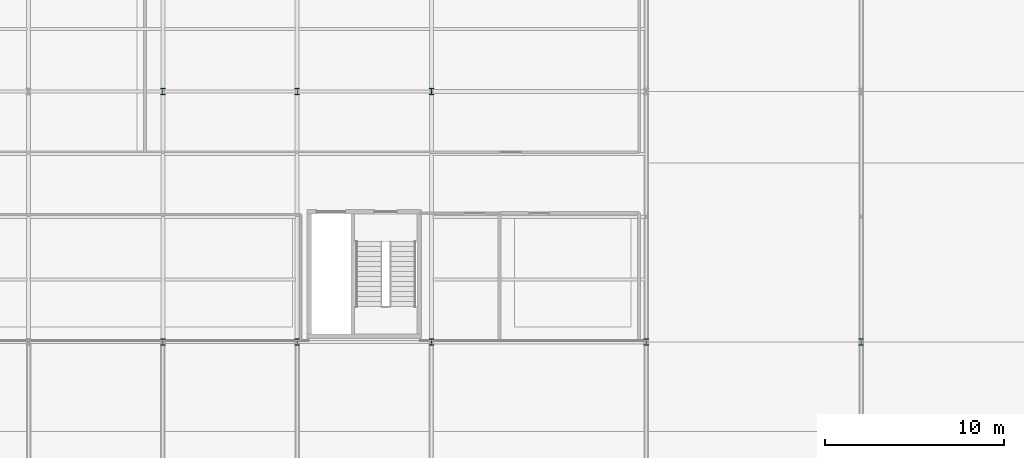
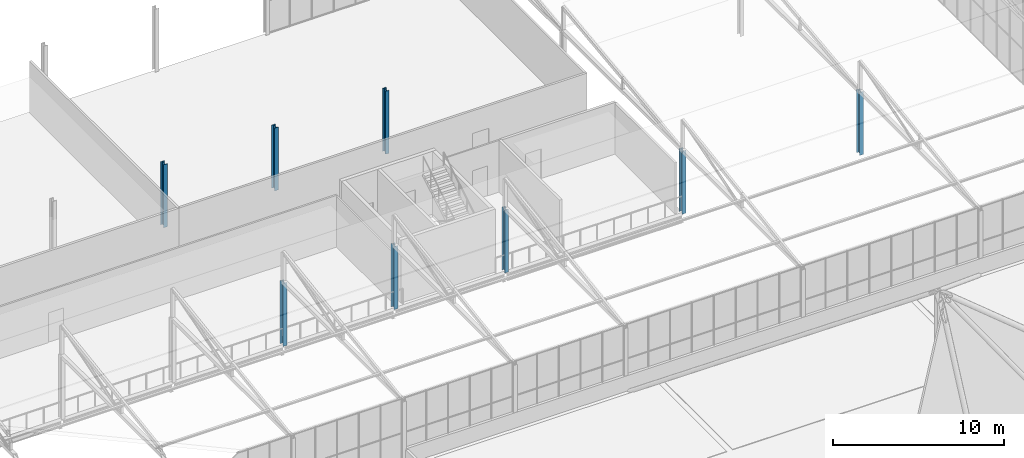
# One storey, part 6 of 104: 8 columns.
"""IFC4 building model written with IfcOpenShell, lengths in metres."""

from ifc_helpers import new_model, si_unit, direction, frame, origin, origin_2d, place, context, subcontext, project, spatial, i_section, extrude, material, material_profile, profile_set, type_object, element, save


model = new_model("IFC4")

# Units and contexts
model_context = context("Model", 3, precision=1e-05, world=origin(), true_north=direction((0.0, 1.0)))
body_context = subcontext(model_context, "Body", "Model", "MODEL_VIEW")
ifc_project = project(units=[si_unit("LENGTHUNIT", "METRE"), si_unit("AREAUNIT", "SQUARE_METRE"), si_unit("VOLUMEUNIT", "CUBIC_METRE"), si_unit("PLANEANGLEUNIT", "RADIAN"), si_unit("MASSUNIT", "GRAM", prefix="KILO")], contexts=[model_context])

# Site, building, storey
site_placement = place(None, origin())
site = spatial("IfcSite", under=ifc_project, at=site_placement, CompositionType="ELEMENT")
building_placement = place(site_placement, origin())
building = spatial("IfcBuilding", under=site, at=building_placement, Name="Solvenia Promenade Tram Depot", CompositionType="ELEMENT")
storey_placement = place(building_placement, frame((0.0, 0.0, 9.0)))
storey = spatial("IfcBuildingStorey", under=building, at=storey_placement, Name="L02", CompositionType="ELEMENT", Elevation=9.0)

# Columns
ifc_material = material(Name="Structural steel ASTM A992 Gr. 50", Category="steel")
ifc_material_profile = material_profile(ifc_material, i_section(OverallWidth=0.257080078125, OverallDepth=0.363037109375, WebThickness=0.012939453125, FlangeThickness=0.021728515625, FilletRadius=0.014892578125, at=origin_2d()), Name="W360x122", Category="steel")
ifc_profile_set = profile_set([ifc_material_profile], Name="Structural steel ASTM A992 Gr. 50")
column_type = type_object("IfcColumnType", Name="Col-W360x122", PredefinedType="COLUMN", material=ifc_profile_set)
for number, where, z_axis, x_axis, name in (
    (1, (135.0, 38.0, 0.0), (0.0, 0.0, 1.0), (1.0, 0.0, 0.0), "Steel Column COL-L02-269"),
    (2, (135.0, 52.0, 0.0), (0.0, 0.0, 1.0), (1.0, 0.0, 0.0), "Steel Column COL-L02-273"),
    (3, (142.5, 38.0, 0.0), (0.0, 0.0, 1.0), (1.0, 0.0, 0.0), "Steel Column COL-L02-290"),
    (4, (142.5, 52.0, 0.0), (0.0, 0.0, 1.0), (1.0, 0.0, 0.0), "Steel Column COL-L02-294"),
    (5, (150.0, 38.0, 0.0), (0.0, 0.0, 1.0), (1.0, 0.0, 0.0), "Steel Column COL-L02-311"),
    (6, (150.0, 52.0, 0.0), (0.0, 0.0, 1.0), (1.0, 0.0, 0.0), "Steel Column COL-L02-315"),
    (7, (162.0, 38.0, 0.0), (0.0, 0.0, 1.0), (1.0, 0.0, 0.0), "Steel Column COL-L02-332"),
    (8, (174.0, 38.0, 0.0), (0.0, 0.0, 1.0), (1.0, 0.0, 0.0), "Steel Column COL-L02-350"),
):
    element("IfcColumn", number, at=place(storey_placement, frame(where, z_axis=z_axis, x_axis=x_axis)), inside=storey, type_object=column_type, Name=name, PredefinedType="COLUMN", context=body_context, shape_type="SweptSolid", body=[
        extrude(i_section(OverallWidth=0.257080078125, OverallDepth=0.363037109375, WebThickness=0.012939453125, FlangeThickness=0.021728515625, FilletRadius=0.014892578125, at=origin_2d()), origin(), (0.0, 0.0, 1.0), 4.5),
    ])

save(model, "model.ifc")
